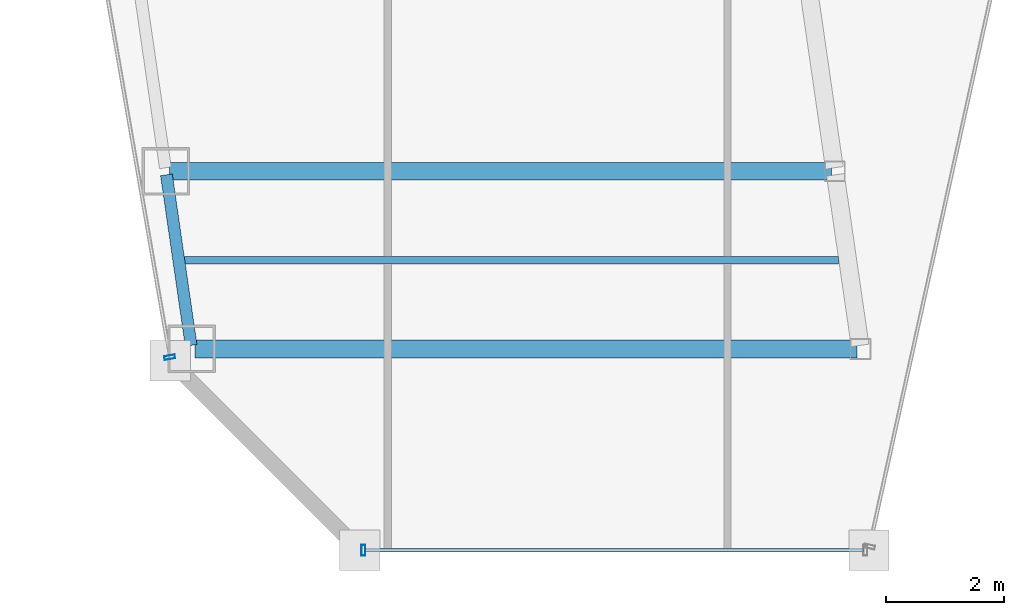
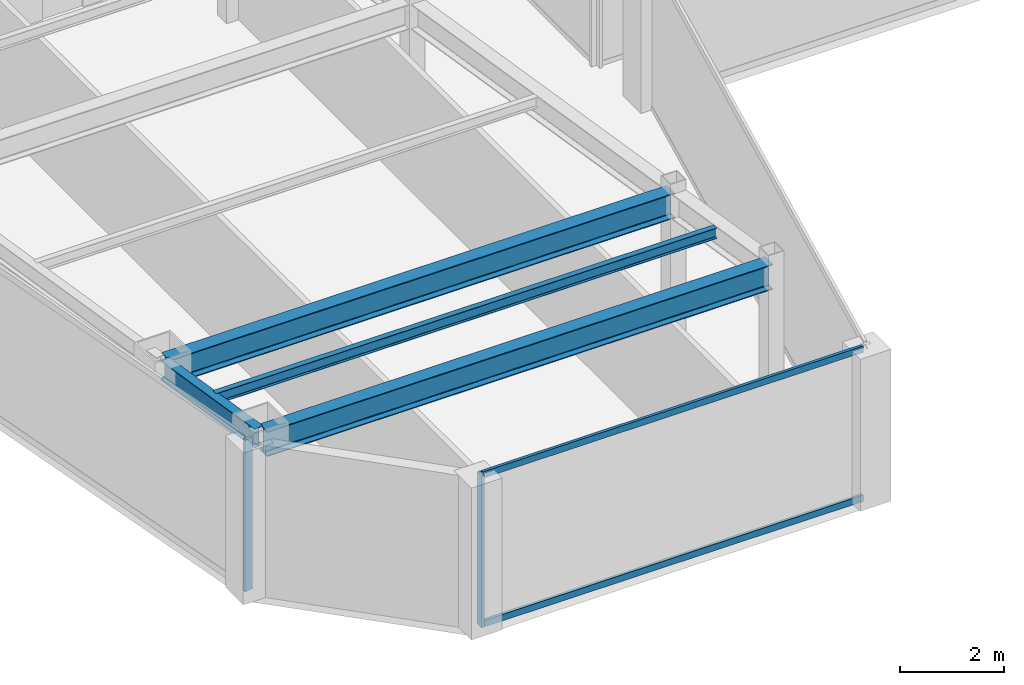
# One storey, part 3 of 32: 4 beams, 4 members, 2 elements without a shape of their own.
"""IFC4 building model written with IfcOpenShell, lengths in metres."""

from ifc_helpers import new_model, si_unit, direction, frame, origin, origin_2d, place, context, subcontext, project, spatial, hollow_rectangle, i_section, extrude, material, material_profile, profile_set, type_object, element, aggregate, save


model = new_model("IFC4")

# Units and contexts
model_context = context("Model", 3, precision=1e-05, world=origin(), true_north=direction((0.0, 1.0)))
body_context = subcontext(model_context, "Body", "Model", "MODEL_VIEW")
ifc_project = project(units=[si_unit("LENGTHUNIT", "METRE"), si_unit("AREAUNIT", "SQUARE_METRE"), si_unit("VOLUMEUNIT", "CUBIC_METRE"), si_unit("PLANEANGLEUNIT", "RADIAN"), si_unit("MASSUNIT", "GRAM", prefix="KILO")], contexts=[model_context])

# Site, building, storey
site_placement = place(None, origin())
site = spatial("IfcSite", under=ifc_project, at=site_placement, CompositionType="ELEMENT")
building_placement = place(site_placement, origin())
building = spatial("IfcBuilding", under=site, at=building_placement, Name="Saevonmaru Cultural Tower", CompositionType="ELEMENT")
storey_placement = place(building_placement, frame((0.0, 0.0, 245.800048828125)))
storey = spatial("IfcBuildingStorey", under=building, at=storey_placement, Name="L57", CompositionType="ELEMENT", Elevation=245.800048828125)

# Beams
ifc_material_1 = material(Name="Steel SM355", Category="steel")
ifc_material_profile_1 = material_profile(ifc_material_1, i_section(OverallWidth=0.300048828125, OverallDepth=0.587890625, WebThickness=0.011962890625, FlangeThickness=0.02001953125, FilletRadius=0.02392578125, at=origin_2d()), Name="H-588x300x12x20")
ifc_profile_set_1 = profile_set([ifc_material_profile_1], Name="Steel SM355")
beam_type_1 = type_object("IfcBeamType", Name="BM-G-H588", PredefinedType="BEAM", material=ifc_profile_set_1)
for number, where, z_axis, x_axis, name in (
    (1, (9.966064453125, 21.0, 3.255859375), (1.0, 0.0, 0.0), (0.0, 1.0, 0.0), "L57 West Wing Transverse Girder 1"),
    (2, (9.531982421875, 24.0, 3.255859375), (1.0, 0.0, 0.0), (0.0, 1.0, 0.0), "L57 West Wing Transverse Girder 2"),
):
    element("IfcBeam", number, at=place(storey_placement, frame(where, z_axis=z_axis, x_axis=x_axis)), inside=storey, type_object=beam_type_1, Name=name, PredefinedType="BEAM", context=body_context, shape_type="SweptSolid", body=[
        extrude(i_section(OverallWidth=0.300048828125, OverallDepth=0.587890625, WebThickness=0.011962890625, FlangeThickness=0.02001953125, FilletRadius=0.02392578125, at=origin_2d()), origin(), (0.0, 0.0, 1.0), 11.179931640625),
    ])
ifc_material_profile_2 = material_profile(ifc_material_1, i_section(OverallWidth=0.125, OverallDepth=0.25, WebThickness=0.006103515625, FlangeThickness=0.009033203125, FilletRadius=0.008056640625, at=origin_2d()), Name="H-250x125x6x9")
ifc_profile_set_2 = profile_set([ifc_material_profile_2], Name="Steel SM355")
beam_type_2 = type_object("IfcBeamType", Name="BM-J-H250", PredefinedType="JOIST", material=ifc_profile_set_2)
beam_1_placement = place(storey_placement, frame((9.7490234375, 22.5, 3.425048828125), z_axis=(1.0, 0.0, 0.0), x_axis=(0.0, 1.0, 0.0)))
element("IfcBeam", 3, at=beam_1_placement, inside=storey, type_object=beam_type_2, Name="L57 West Wing Floor Joist 1", PredefinedType="JOIST", context=body_context, shape_type="SweptSolid", body=[
    extrude(i_section(OverallWidth=0.125, OverallDepth=0.25, WebThickness=0.006103515625, FlangeThickness=0.009033203125, FilletRadius=0.008056640625, at=origin_2d()), origin(), (0.0, 0.0, 1.0), 11.08203125),
])
ifc_material_profile_3 = material_profile(ifc_material_1, i_section(OverallWidth=0.199951171875, OverallDepth=0.449951171875, WebThickness=0.009033203125, FlangeThickness=0.013916015625, FilletRadius=0.01806640625, at=origin_2d()), Name="H-450x200x9x14")
ifc_profile_set_3 = profile_set([ifc_material_profile_3], Name="Steel SM355")
beam_type_3 = type_object("IfcBeamType", Name="BM-SP-H450", PredefinedType="SPANDREL", material=ifc_profile_set_3)
beam_2_placement = place(storey_placement, frame((9.8974609375, 21.059326171875, 3.324951171875), z_axis=(-0.143146955239, 0.98970144448, 0.0), x_axis=(-0.98970144448, -0.143146955239, 0.0)))
element("IfcBeam", 4, at=beam_2_placement, inside=storey, type_object=beam_type_3, Name="L57 West Splayed Spandrel 1", PredefinedType="SPANDREL", context=body_context, shape_type="SweptSolid", body=[
    extrude(i_section(OverallWidth=0.199951171875, OverallDepth=0.449951171875, WebThickness=0.009033203125, FlangeThickness=0.013916015625, FilletRadius=0.01806640625, at=origin_2d()), origin(), (0.0, 0.0, 1.0), 2.911376953125),
])

# Curtain wall, member
ifc_material_2 = material(Name="Satin Bronze Anodised Aluminium", Category="aluminium")
curtain_wall_type = type_object("IfcCurtainWallType", Name="CW-TYP-B", PredefinedType="NOTDEFINED", material=ifc_material_2)
curtain_wall_1_placement = place(storey_placement, origin())
curtain_wall_1 = element("IfcCurtainWall", 5, at=curtain_wall_1_placement, inside=storey, type_object=curtain_wall_type, Name="L57 Unitised Curtain Wall E2", PredefinedType="NOTDEFINED")
ifc_material_profile_4 = material_profile(ifc_material_2, hollow_rectangle(XDim=0.06494140625, YDim=0.179931640625, WallThickness=0.00390625, at=origin_2d()), Name="ALU-MULL-180x65x4")
ifc_profile_set_4 = profile_set([ifc_material_profile_4], Name="Satin Bronze Anodised Aluminium")
member_type_1 = type_object("IfcMemberType", Name="ML-CW-180x65", PredefinedType="MULLION", material=ifc_profile_set_4)
member_1_placement = place(storey_placement, frame((12.806640625, 17.60009765625, 0.0), z_axis=(0.0, 0.0, 1.0), x_axis=(1.0, 0.0, 0.0)))
member_1 = element("IfcMember", 6, at=member_1_placement, type_object=member_type_1, Name="CW-TW-L57-E2 mullion 1", PredefinedType="MULLION", context=body_context, shape_type="SweptSolid", body=[
    extrude(hollow_rectangle(XDim=0.06494140625, YDim=0.179931640625, WallThickness=0.00390625, at=origin_2d()), origin(), (0.0, 0.0, 1.0), 3.550048828125),
])

curtain_wall_2_placement = place(storey_placement, origin())
curtain_wall_2 = element("IfcCurtainWall", 7, at=curtain_wall_2_placement, inside=storey, type_object=curtain_wall_type, Name="L57 Unitised Curtain Wall E12", PredefinedType="NOTDEFINED")
member_2_placement = place(storey_placement, frame((9.53662109375, 20.859130859375, 0.0), z_axis=(0.0, 0.0, 1.0), x_axis=(0.170790369887, -0.985307388359, 0.0)))
member_2 = element("IfcMember", 8, at=member_2_placement, type_object=member_type_1, Name="CW-TW-L57-E12 mullion 4", PredefinedType="MULLION", context=body_context, shape_type="SweptSolid", body=[
    extrude(hollow_rectangle(XDim=0.06494140625, YDim=0.179931640625, WallThickness=0.00390625, at=origin_2d()), origin(), (0.0, 0.0, 1.0), 3.550048828125),
])
aggregate(curtain_wall_2, [member_2])

# Member
ifc_material_profile_5 = material_profile(ifc_material_2, hollow_rectangle(XDim=0.06494140625, YDim=0.14990234375, WallThickness=0.00390625, at=origin_2d()), Name="ALU-TRAN-150x65x4")
ifc_profile_set_5 = profile_set([ifc_material_profile_5], Name="Satin Bronze Anodised Aluminium")
member_type_2 = type_object("IfcMemberType", Name="TR-CW-150x65", PredefinedType="USERDEFINED", material=ifc_profile_set_5)
member_3_placement = place(storey_placement, frame((12.839111328125, 17.60009765625, 0.032470703125), z_axis=(1.0, 0.0, 0.0), x_axis=(0.0, 1.0, 0.0)))
member_3 = element("IfcMember", 9, at=member_3_placement, type_object=member_type_2, Name="CW-TW-L57-E2 transom 1.1", ObjectType="TRANSOM", PredefinedType="USERDEFINED", context=body_context, shape_type="SweptSolid", body=[
    extrude(hollow_rectangle(XDim=0.06494140625, YDim=0.14990234375, WallThickness=0.00390625, at=origin_2d()), origin(), (0.0, 0.0, 1.0), 8.4150390625),
])

member_4_placement = place(storey_placement, frame((12.839111328125, 17.60009765625, 3.517333984375), z_axis=(1.0, 0.0, 0.0), x_axis=(0.0, 1.0, 0.0)))
member_4 = element("IfcMember", 10, at=member_4_placement, type_object=member_type_2, Name="CW-TW-L57-E2 transom 1.2", ObjectType="TRANSOM", PredefinedType="USERDEFINED", context=body_context, shape_type="SweptSolid", body=[
    extrude(hollow_rectangle(XDim=0.06494140625, YDim=0.14990234375, WallThickness=0.00390625, at=origin_2d()), origin(), (0.0, 0.0, 1.0), 8.4150390625),
])

aggregate(curtain_wall_1, [member_1, member_3, member_4])

save(model, "model.ifc")
